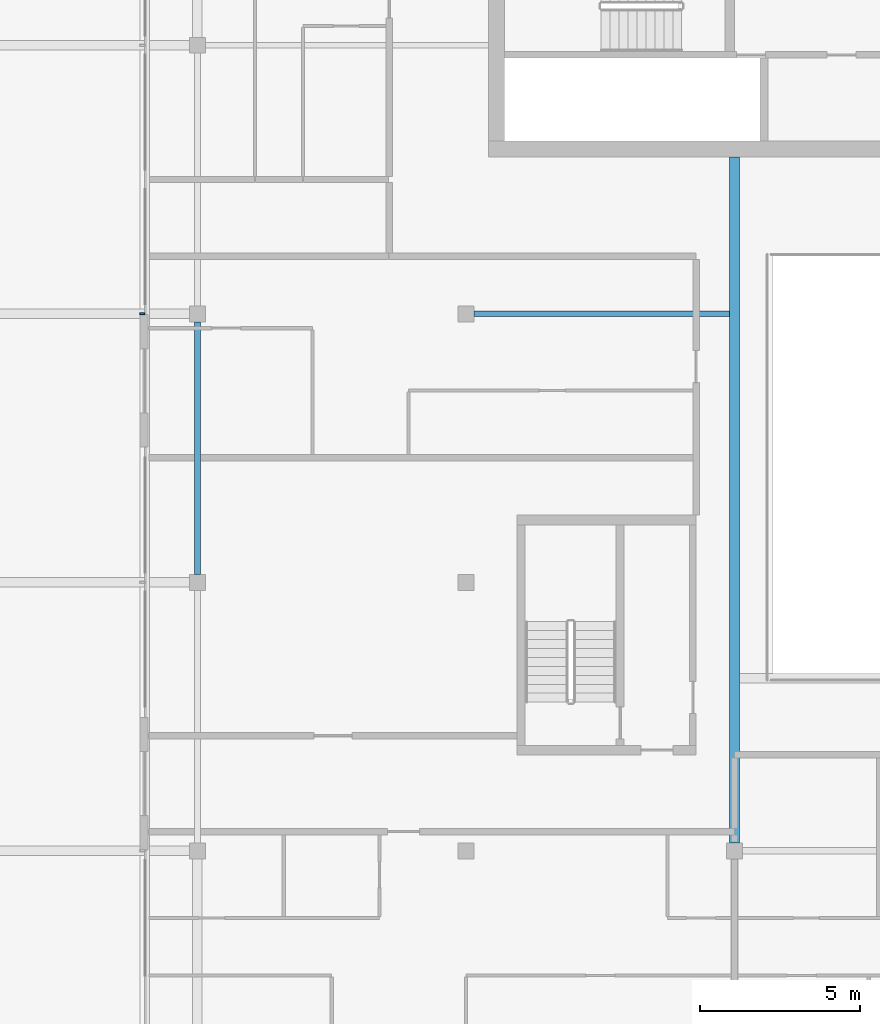
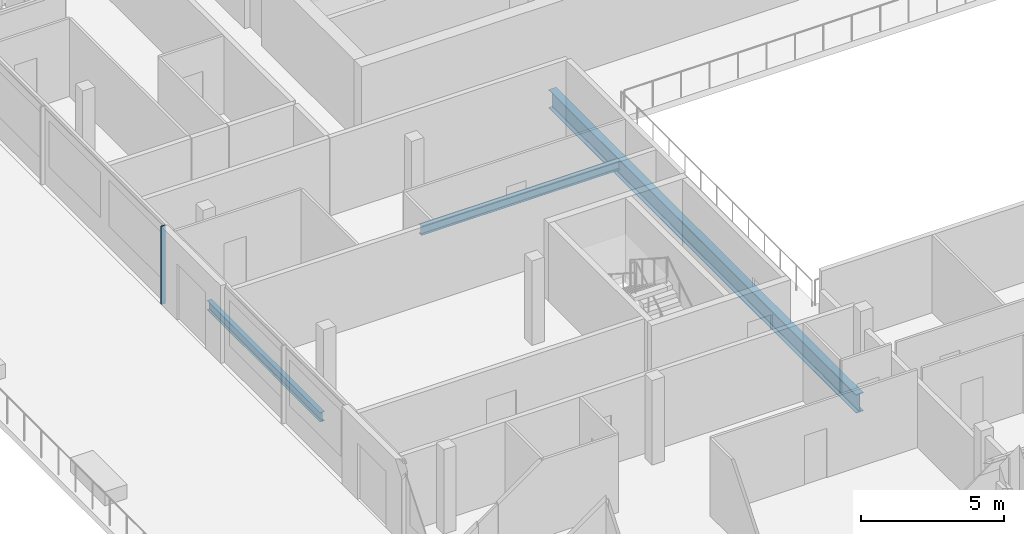
# One storey, part 5 of 29: 3 beams, 1 member, 1 element without a shape of its own.
"""IFC4 building model written with IfcOpenShell, lengths in metres."""

from ifc_helpers import new_model, si_unit, direction, frame, origin, origin_2d, place, context, subcontext, project, spatial, rectangle, i_section, extrude, material, material_profile, profile_set, type_object, element, aggregate, save


model = new_model("IFC4")

# Units and contexts
model_context = context("Model", 3, precision=1e-05, world=origin(), true_north=direction((0.0, 1.0)))
body_context = subcontext(model_context, "Body", "Model", "MODEL_VIEW")
ifc_project = project(units=[si_unit("LENGTHUNIT", "METRE"), si_unit("AREAUNIT", "SQUARE_METRE"), si_unit("VOLUMEUNIT", "CUBIC_METRE"), si_unit("PLANEANGLEUNIT", "RADIAN"), si_unit("MASSUNIT", "GRAM", prefix="KILO")], contexts=[model_context])

# Site, building, storey
site_placement = place(None, origin())
site = spatial("IfcSite", under=ifc_project, at=site_placement, CompositionType="ELEMENT")
building_placement = place(site_placement, origin())
building = spatial("IfcBuilding", under=site, at=building_placement, Name="Saffron Gate Tower", CompositionType="ELEMENT")
storey_placement = place(building_placement, frame((0.0, 0.0, 270.75)))
storey = spatial("IfcBuildingStorey", under=building, at=storey_placement, Name="L65", CompositionType="ELEMENT", Elevation=270.75)

# Beams
ifc_material_1 = material(Name="Structural steel S355", Category="steel")
ifc_material_profile_1 = material_profile(ifc_material_1, i_section(OverallWidth=0.300048828125, OverallDepth=0.7900390625, WebThickness=0.014892578125, FlangeThickness=0.028076171875, FilletRadius=0.030029296875, at=origin_2d()))
ifc_profile_set_1 = profile_set([ifc_material_profile_1], Name="Structural steel S355")
beam_type_1 = type_object("IfcBeamType", Name="B18 HEA 800", PredefinedType="BEAM", material=ifc_profile_set_1)
beam_1_placement = place(storey_placement, frame((75.0, 40.449951171875, -0.675048828125), z_axis=(0.0, 1.0, 0.0), x_axis=(-1.0, 0.0, 0.0)))
element("IfcBeam", 1, at=beam_1_placement, inside=storey, type_object=beam_type_1, Name="B18 ATRIUM GIRDER", PredefinedType="BEAM", context=body_context, shape_type="SweptSolid", body=[
    extrude(i_section(OverallWidth=0.300048828125, OverallDepth=0.7900390625, WebThickness=0.014892578125, FlangeThickness=0.028076171875, FilletRadius=0.030029296875, at=origin_2d()), origin(), (0.0, 0.0, 1.0), 21.449951171875),
])
ifc_material_profile_2 = material_profile(ifc_material_1, i_section(OverallWidth=0.179931640625, OverallDepth=0.39990234375, WebThickness=0.008544921875, FlangeThickness=0.013427734375, FilletRadius=0.02099609375, at=origin_2d()))
ifc_profile_set_2 = profile_set([ifc_material_profile_2], Name="Structural steel S355")
beam_type_2 = type_object("IfcBeamType", Name="B4 IPE 400", PredefinedType="BEAM", material=ifc_profile_set_2)
beam_2_placement = place(storey_placement, frame((66.85009765625, 57.0, -0.47998046875), z_axis=(1.0, 0.0, 0.0), x_axis=(0.0, 1.0, 0.0)))
element("IfcBeam", 2, at=beam_2_placement, inside=storey, type_object=beam_type_2, Name="B4 CORE TIE BEAM", PredefinedType="BEAM", context=body_context, shape_type="SweptSolid", body=[
    extrude(i_section(OverallWidth=0.179931640625, OverallDepth=0.39990234375, WebThickness=0.008544921875, FlangeThickness=0.013427734375, FilletRadius=0.02099609375, at=origin_2d()), origin(), (0.0, 0.0, 1.0), 8.0),
])
ifc_material_profile_3 = material_profile(ifc_material_1, i_section(OverallWidth=0.179931640625, OverallDepth=0.39990234375, WebThickness=0.008544921875, FlangeThickness=0.013427734375, FilletRadius=0.02099609375, at=origin_2d()))
ifc_profile_set_3 = profile_set([ifc_material_profile_3], Name="Structural steel S355")
beam_type_3 = type_object("IfcBeamType", Name="B5 IPE 400", PredefinedType="SPANDREL", material=ifc_profile_set_3)
beam_3_placement = place(storey_placement, frame((58.199951171875, 48.85009765625, -0.47998046875), z_axis=(0.0, 1.0, 0.0), x_axis=(-1.0, 0.0, 0.0)))
element("IfcBeam", 3, at=beam_3_placement, inside=storey, type_object=beam_type_3, Name="B5 SPANDREL BEAM", PredefinedType="SPANDREL", context=body_context, shape_type="SweptSolid", body=[
    extrude(i_section(OverallWidth=0.179931640625, OverallDepth=0.39990234375, WebThickness=0.008544921875, FlangeThickness=0.013427734375, FilletRadius=0.02099609375, at=origin_2d()), origin(), (0.0, 0.0, 1.0), 7.89990234375),
])

# Curtain wall, member
ifc_material_2 = material(Name="Aluminium, bronze anodised", Category="aluminium")
curtain_wall_type = type_object("IfcCurtainWallType", Name="CWS2 curtain wall side facades", PredefinedType="NOTDEFINED", material=ifc_material_2)
curtain_wall_placement = place(storey_placement, origin())
curtain_wall = element("IfcCurtainWall", 4, at=curtain_wall_placement, inside=storey, type_object=curtain_wall_type, Name="CWS2 run 10", PredefinedType="NOTDEFINED")
ifc_material_profile_4 = material_profile(ifc_material_2, rectangle(XDim=0.159912109375, YDim=0.06005859375, at=origin_2d()))
ifc_profile_set_4 = profile_set([ifc_material_profile_4], Name="Aluminium, bronze anodised")
member_type = type_object("IfcMemberType", Name="CWS2 mullion 60x160", PredefinedType="MULLION", material=ifc_profile_set_4)
member_placement = place(storey_placement, frame((56.47998046875, 57.0, 0.0), z_axis=(0.0, 0.0, 1.0), x_axis=(1.0, 0.0, 0.0)))
member = element("IfcMember", 5, at=member_placement, type_object=member_type, Name="CWS2 mullion 3", PredefinedType="MULLION", context=body_context, shape_type="SweptSolid", body=[
    extrude(rectangle(XDim=0.159912109375, YDim=0.06005859375, at=origin_2d()), origin(), (0.0, 0.0, 1.0), 3.320068359375),
])
aggregate(curtain_wall, [member])

save(model, "model.ifc")
